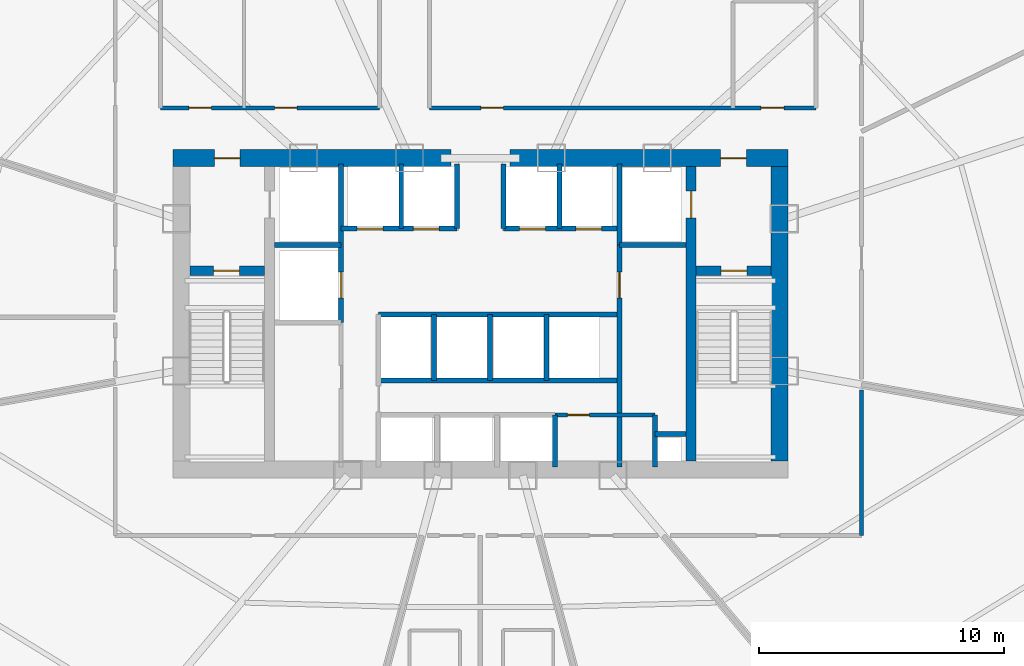
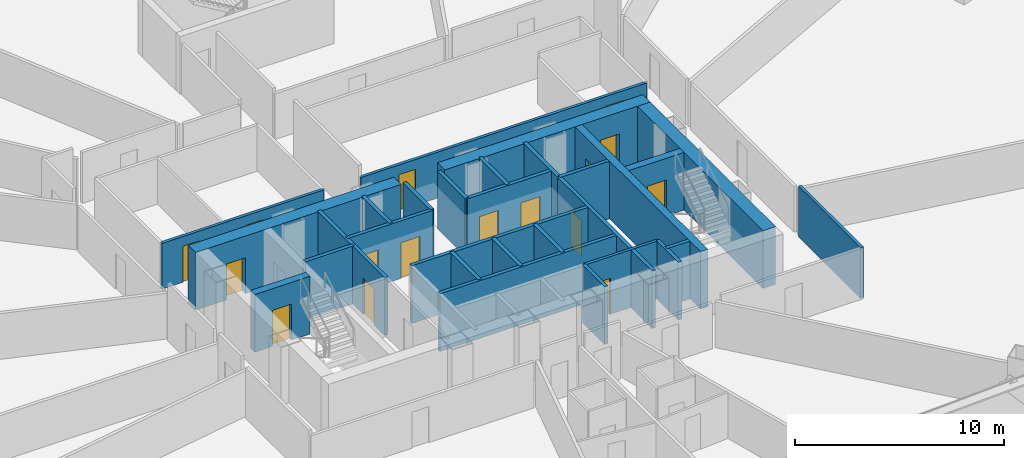
# One storey, part 31 of 38: 29 walls, 16 doors, 16 openings.
"""IFC4 building model written with IfcOpenShell, lengths in metres."""

from ifc_helpers import new_model, si_unit, direction, frame, frame_2d, origin, origin_with_axes, place, context, subcontext, project, spatial, rectangle, extrude, source, transform, mapped, material, layer, layer_set, type_object, element, fill, save


model = new_model("IFC4")

# Units and contexts
model_context = context("Model", 3, precision=1e-05, world=origin(), true_north=direction((0.0, 1.0)))
body_context = subcontext(model_context, "Body", "Model", "MODEL_VIEW")
ifc_project = project(units=[si_unit("LENGTHUNIT", "METRE"), si_unit("AREAUNIT", "SQUARE_METRE"), si_unit("VOLUMEUNIT", "CUBIC_METRE"), si_unit("PLANEANGLEUNIT", "RADIAN"), si_unit("MASSUNIT", "GRAM", prefix="KILO"), si_unit("THERMODYNAMICTEMPERATUREUNIT", "KELVIN"), si_unit("POWERUNIT", "WATT")], contexts=[model_context])

# Site, building, storey
site_placement = place(None, origin())
site = spatial("IfcSite", under=ifc_project, at=site_placement, CompositionType="ELEMENT")
building_placement = place(site_placement, origin())
building = spatial("IfcBuilding", under=site, at=building_placement, Name="Yunzhuo Pagoda Commons", CompositionType="ELEMENT")
storey_placement = place(building_placement, frame((0.0, 0.0, 34.030029296875)))
storey = spatial("IfcBuildingStorey", under=building, at=storey_placement, Name="L08", CompositionType="ELEMENT", Elevation=34.030029296875)

# Wall, opening, door
ifc_material_1 = material(Name="Concrete C60", Category="concrete")
ifc_layer_1 = layer(ifc_material_1, 0.699951171875)
ifc_layer_set_1 = layer_set([ifc_layer_1], Name="Concrete C60")
wall_type_1 = type_object("IfcWallType", Name="W-C01 Lower Core Shear Wall 700", PredefinedType="SHEAR", material=ifc_layer_set_1)
wall_1_placement = place(storey_placement, frame((35.449951171875, 40.199951171875, 0.0), z_axis=(0.0, 0.0, 1.0), x_axis=(1.0, 0.0, 0.0)))
wall_1 = element("IfcWall", 1, at=wall_1_placement, inside=storey, type_object=wall_type_1, Name="L08 core shear wall NW", PredefinedType="SHEAR", context=body_context, shape_type="SweptSolid", body=[
    extrude(rectangle(XDim=11.35009765625, YDim=0.699951171875, at=frame_2d((5.675048828125, 0.0))), origin(), (0.0, 0.0, 1.0), 3.369873046875),
])
opening_1_placement = place(wall_1_placement, frame((1.699951171875, 0.0, 0.0)))
opening_1 = element("IfcOpeningElement", 2, at=opening_1_placement, cuts=wall_1, Name="Opening D-02", PredefinedType="OPENING", context=body_context, shape_type="SweptSolid", body=[
    extrude(rectangle(XDim=1.050048828125, YDim=2.10009765625, at=frame_2d((0.52490234375, 1.050048828125))), frame((0.0, 0.35986328125, 0.0), z_axis=(0.0, -1.0, 0.0), x_axis=(1.0, 0.0, 0.0)), (0.0, 0.0, 1.0), 0.719970703125),
])
ifc_material_2 = material(Name="Galvanized fire-resisting metal leaf")
door_type_1 = type_object("IfcDoorType", Name="D-02 Firefighting Lobby & Refuge Fire Door 1050x2100", OperationType="NOTDEFINED", PredefinedType="DOOR", material=ifc_material_2)
shared_shape_1 = source(origin(), body_context, "Body", "SweptSolid", [
    extrude(rectangle(XDim=1.050048828125, YDim=2.10009765625, at=frame_2d((0.52490234375, 1.050048828125))), frame((0.0, 0.02490234375, 0.0), z_axis=(0.0, -1.0, 0.0), x_axis=(1.0, 0.0, 0.0)), (0.0, 0.0, 1.0), 0.050048828125),
])
door_1_placement = place(opening_1_placement, frame((1.050048828125, 0.0, 0.0), z_axis=(0.0, 0.0, 1.0), x_axis=(-1.0, 0.0, 0.0)))
door_1 = element("IfcDoor", 3, at=door_1_placement, inside=storey, type_object=door_type_1, Name="L08 Firefighting Lobby 1 fire door", OperationType="SINGLE_SWING_LEFT", OverallHeight=2.10009765625, OverallWidth=1.050048828125, PredefinedType="DOOR", context=body_context, shape_type="MappedRepresentation", body=[
    mapped(shared_shape_1, transform((0.0, 0.0, 0.0), scale=1.0)),
])
fill(opening_1, door_1)

wall_2_placement = place(storey_placement, frame((49.199951171875, 40.199951171875, 0.0), z_axis=(0.0, 0.0, 1.0), x_axis=(1.0, 0.0, 0.0)))
wall_2 = element("IfcWall", 4, at=wall_2_placement, inside=storey, type_object=wall_type_1, Name="L08 core shear wall NE", PredefinedType="SHEAR", context=body_context, shape_type="SweptSolid", body=[
    extrude(rectangle(XDim=11.35009765625, YDim=0.699951171875, at=frame_2d((5.675048828125, 0.0))), origin(), (0.0, 0.0, 1.0), 3.369873046875),
])
opening_2_placement = place(wall_2_placement, frame((8.60009765625, 0.0, 0.0)))
opening_2 = element("IfcOpeningElement", 5, at=opening_2_placement, cuts=wall_2, Name="Opening D-02", PredefinedType="OPENING", context=body_context, shape_type="SweptSolid", body=[
    extrude(rectangle(XDim=1.050048828125, YDim=2.10009765625, at=frame_2d((0.52490234375, 1.050048828125))), frame((0.0, 0.35986328125, 0.0), z_axis=(0.0, -1.0, 0.0), x_axis=(1.0, 0.0, 0.0)), (0.0, 0.0, 1.0), 0.719970703125),
])
door_2_placement = place(opening_2_placement, frame((1.050048828125, 0.0, 0.0), z_axis=(0.0, 0.0, 1.0), x_axis=(-1.0, 0.0, 0.0)))
door_2 = element("IfcDoor", 6, at=door_2_placement, inside=storey, type_object=door_type_1, Name="L08 Firefighting Lobby 2 fire door", OperationType="SINGLE_SWING_RIGHT", OverallHeight=2.10009765625, OverallWidth=1.050048828125, PredefinedType="DOOR", context=body_context, shape_type="MappedRepresentation", body=[
    mapped(shared_shape_1, transform((0.0, 0.0, 0.0), scale=1.0)),
])
fill(opening_2, door_2)

# Wall
wall_3_placement = place(storey_placement, frame((60.199951171875, 27.85009765625, 0.0), z_axis=(0.0, 0.0, 1.0), x_axis=(0.0, 1.0, 0.0)))
element("IfcWall", 7, at=wall_3_placement, inside=storey, type_object=wall_type_1, Name="L08 core shear wall E", PredefinedType="SHEAR", context=body_context, shape_type="SweptSolid", body=[
    extrude(rectangle(XDim=12.0, YDim=0.699951171875, at=frame_2d((6.0, 0.0))), origin(), (0.0, 0.0, 1.0), 3.369873046875),
])

# Wall, opening, door
ifc_material_3 = material(Name="Gypsum plasterboard on acoustic stud")
ifc_layer_2 = layer(ifc_material_3, 0.159912109375)
ifc_layer_set_2 = layer_set([ifc_layer_2], Name="Gypsum plasterboard on acoustic stud")
wall_type_2 = type_object("IfcWallType", Name="W-COR1 Tower Rated Corridor Wall 160", PredefinedType="PARTITIONING", material=ifc_layer_set_2)
wall_4_placement = place(storey_placement, frame((51.050048828125, 29.719970703125, 0.0), z_axis=(0.0, 0.0, 1.0), x_axis=(1.0, 0.0, 0.0)))
wall_4 = element("IfcWall", 8, at=wall_4_placement, inside=storey, type_object=wall_type_2, Name="L08 interior wall IW-L08-CSES", PredefinedType="PARTITIONING", context=body_context, shape_type="SweptSolid", body=[
    extrude(rectangle(XDim=4.070068359375, YDim=0.159912109375, at=frame_2d((2.03515625, 0.0))), origin(), (0.0, 0.0, 1.0), 3.369873046875),
])
opening_3_placement = place(wall_4_placement, frame((0.5, 0.0, 0.0)))
opening_3 = element("IfcOpeningElement", 9, at=opening_3_placement, cuts=wall_4, Name="Opening D-03", PredefinedType="OPENING", context=body_context, shape_type="SweptSolid", body=[
    extrude(rectangle(XDim=0.89990234375, YDim=2.10009765625, at=frame_2d((0.449951171875, 1.050048828125))), frame((0.0, 0.08984375, 0.0), z_axis=(0.0, -1.0, 0.0), x_axis=(1.0, 0.0, 0.0)), (0.0, 0.0, 1.0), 0.179931640625),
])
door_type_2 = type_object("IfcDoorType", Name="D-03 Core Service Fire Door 900x2100", OperationType="NOTDEFINED", PredefinedType="DOOR", material=ifc_material_2)
shared_shape_2 = source(origin(), body_context, "Body", "SweptSolid", [
    extrude(rectangle(XDim=0.89990234375, YDim=2.10009765625, at=frame_2d((0.449951171875, 1.050048828125))), frame((0.0, 0.02490234375, 0.0), z_axis=(0.0, -1.0, 0.0), x_axis=(1.0, 0.0, 0.0)), (0.0, 0.0, 1.0), 0.050048828125),
])
door_3_placement = place(opening_3_placement, origin_with_axes())
door_3 = element("IfcDoor", 10, at=door_3_placement, inside=storey, type_object=door_type_2, Name="L08 cleaner store door", OperationType="SINGLE_SWING_LEFT", OverallHeight=2.10009765625, OverallWidth=0.89990234375, PredefinedType="DOOR", context=body_context, shape_type="MappedRepresentation", body=[
    mapped(shared_shape_2, transform((0.0, 0.0, 0.0), scale=1.0)),
])
fill(opening_3, door_3)

# Wall, openings, doors
wall_5_placement = place(storey_placement, frame((34.949951171875, 42.25, 0.0), z_axis=(0.0, 0.0, 1.0), x_axis=(1.0, 0.0, 0.0)))
wall_5 = element("IfcWall", 11, at=wall_5_placement, inside=storey, type_object=wall_type_2, Name="L08 interior wall IW-L08-ISLWS", PredefinedType="PARTITIONING", context=body_context, shape_type="SweptSolid", body=[
    extrude(rectangle(XDim=8.929931640625, YDim=0.159912109375, at=frame_2d((4.46484375, 0.0))), origin(), (0.0, 0.0, 1.0), 2.669921875),
])
opening_4_placement = place(wall_5_placement, frame((1.14990234375, 0.0, 0.0)))
opening_4 = element("IfcOpeningElement", 12, at=opening_4_placement, cuts=wall_5, Name="Opening D-04", PredefinedType="OPENING", context=body_context, shape_type="SweptSolid", body=[
    extrude(rectangle(XDim=0.919921875, YDim=2.10009765625, at=frame_2d((0.4599609375, 1.050048828125))), frame((0.0, 0.08984375, 0.0), z_axis=(0.0, -1.0, 0.0), x_axis=(1.0, 0.0, 0.0)), (0.0, 0.0, 1.0), 0.179931640625),
])
opening_5_placement = place(wall_5_placement, frame((4.64990234375, 0.0, 0.0)))
opening_5 = element("IfcOpeningElement", 13, at=opening_5_placement, cuts=wall_5, Name="Opening D-04", PredefinedType="OPENING", context=body_context, shape_type="SweptSolid", body=[
    extrude(rectangle(XDim=0.919921875, YDim=2.10009765625, at=frame_2d((0.4599609375, 1.050048828125))), frame((0.0, 0.08984375, 0.0), z_axis=(0.0, -1.0, 0.0), x_axis=(1.0, 0.0, 0.0)), (0.0, 0.0, 1.0), 0.179931640625),
])
ifc_material_4 = material(Name="Powder-coated aluminium and timber acoustic leaf", Category="wood")
door_type_3 = type_object("IfcDoorType", Name="D-04 Bedroom & Study Interior Door 920x2100", OperationType="NOTDEFINED", PredefinedType="DOOR", material=ifc_material_4)
shared_shape_3 = source(origin(), body_context, "Body", "SweptSolid", [
    extrude(rectangle(XDim=0.919921875, YDim=2.10009765625, at=frame_2d((0.4599609375, 1.050048828125))), frame((0.0, 0.02490234375, 0.0), z_axis=(0.0, -1.0, 0.0), x_axis=(1.0, 0.0, 0.0)), (0.0, 0.0, 1.0), 0.050048828125),
])
door_4_placement = place(opening_4_placement, frame((0.919921875, 0.0, 0.0), z_axis=(0.0, 0.0, 1.0), x_axis=(-1.0, 0.0, 0.0)))
door_4 = element("IfcDoor", 14, at=door_4_placement, inside=storey, type_object=door_type_3, Name="L08 laundry door", OperationType="SINGLE_SWING_LEFT", OverallHeight=2.10009765625, OverallWidth=0.919921875, PredefinedType="DOOR", context=body_context, shape_type="MappedRepresentation", body=[
    mapped(shared_shape_3, transform((0.0, 0.0, 0.0), scale=1.0)),
])
fill(opening_4, door_4)
door_5_placement = place(opening_5_placement, frame((0.919921875, 0.0, 0.0), z_axis=(0.0, 0.0, 1.0), x_axis=(-1.0, 0.0, 0.0)))
door_5 = element("IfcDoor", 15, at=door_5_placement, inside=storey, type_object=door_type_3, Name="L08 study commons W door", OperationType="SINGLE_SWING_RIGHT", OverallHeight=2.10009765625, OverallWidth=0.919921875, PredefinedType="DOOR", context=body_context, shape_type="MappedRepresentation", body=[
    mapped(shared_shape_3, transform((0.0, 0.0, 0.0), scale=1.0)),
])
fill(opening_5, door_5)

wall_6_placement = place(storey_placement, frame((45.919921875, 42.25, 0.0), z_axis=(0.0, 0.0, 1.0), x_axis=(1.0, 0.0, 0.0)))
wall_6 = element("IfcWall", 16, at=wall_6_placement, inside=storey, type_object=wall_type_2, Name="L08 interior wall IW-L08-ISLES", PredefinedType="PARTITIONING", context=body_context, shape_type="SweptSolid", body=[
    extrude(rectangle(XDim=15.780029296875, YDim=0.159912109375, at=frame_2d((7.89013671875, 0.0))), origin(), (0.0, 0.0, 1.0), 2.669921875),
])
opening_6_placement = place(wall_6_placement, frame((2.10009765625, 0.0, 0.0)))
opening_6 = element("IfcOpeningElement", 17, at=opening_6_placement, cuts=wall_6, Name="Opening D-04", PredefinedType="OPENING", context=body_context, shape_type="SweptSolid", body=[
    extrude(rectangle(XDim=0.919921875, YDim=2.10009765625, at=frame_2d((0.4599609375, 1.050048828125))), frame((0.0, 0.08984375, 0.0), z_axis=(0.0, -1.0, 0.0), x_axis=(1.0, 0.0, 0.0)), (0.0, 0.0, 1.0), 0.179931640625),
])
opening_7_placement = place(wall_6_placement, frame((13.530029296875, 0.0, 0.0)))
opening_7 = element("IfcOpeningElement", 18, at=opening_7_placement, cuts=wall_6, Name="Opening D-11", PredefinedType="OPENING", context=body_context, shape_type="SweptSolid", body=[
    extrude(rectangle(XDim=0.93994140625, YDim=2.10009765625, at=frame_2d((0.469970703125, 1.050048828125))), frame((0.0, 0.08984375, 0.0), z_axis=(0.0, -1.0, 0.0), x_axis=(1.0, 0.0, 0.0)), (0.0, 0.0, 1.0), 0.179931640625),
])
door_type_4 = type_object("IfcDoorType", Name="D-11 Accessible Washroom Fire Door 940x2100", OperationType="NOTDEFINED", PredefinedType="DOOR", material=ifc_material_2)
shared_shape_4 = source(origin(), body_context, "Body", "SweptSolid", [
    extrude(rectangle(XDim=0.93994140625, YDim=2.10009765625, at=frame_2d((0.469970703125, 1.050048828125))), frame((0.0, 0.02490234375, 0.0), z_axis=(0.0, -1.0, 0.0), x_axis=(1.0, 0.0, 0.0)), (0.0, 0.0, 1.0), 0.050048828125),
])
door_6_placement = place(opening_7_placement, frame((0.93994140625, 0.0, 0.0), z_axis=(0.0, 0.0, 1.0), x_axis=(-1.0, 0.0, 0.0)))
door_6 = element("IfcDoor", 19, at=door_6_placement, inside=storey, type_object=door_type_4, Name="L08 accessible WC door", OperationType="SINGLE_SWING_RIGHT", OverallHeight=2.10009765625, OverallWidth=0.93994140625, PredefinedType="DOOR", context=body_context, shape_type="MappedRepresentation", body=[
    mapped(shared_shape_4, transform((0.0, 0.0, 0.0), scale=1.0)),
])
fill(opening_7, door_6)
door_7_placement = place(opening_6_placement, frame((0.919921875, 0.0, 0.0), z_axis=(0.0, 0.0, 1.0), x_axis=(-1.0, 0.0, 0.0)))
door_7 = element("IfcDoor", 20, at=door_7_placement, inside=storey, type_object=door_type_3, Name="L08 reading commons door", OperationType="SINGLE_SWING_LEFT", OverallHeight=2.10009765625, OverallWidth=0.919921875, PredefinedType="DOOR", context=body_context, shape_type="MappedRepresentation", body=[
    mapped(shared_shape_3, transform((0.0, 0.0, 0.0), scale=1.0)),
])
fill(opening_6, door_7)

# Wall
wall_7_placement = place(storey_placement, frame((63.550048828125, 30.734619140625, 0.0), z_axis=(0.0, 0.0, 1.0), x_axis=(0.0, -1.0, 0.0)))
element("IfcWall", 21, at=wall_7_placement, inside=storey, type_object=wall_type_2, Name="L08 interior wall IW-L08-CWL16", PredefinedType="PARTITIONING", context=body_context, shape_type="SweptSolid", body=[
    extrude(rectangle(XDim=5.9345703125, YDim=0.159912109375, at=frame_2d((2.96728515625, 0.0))), origin(), (0.0, 0.0, 1.0), 2.969970703125),
])

# Wall, opening, door
ifc_layer_3 = layer(ifc_material_1, 0.39990234375)
ifc_layer_set_3 = layer_set([ifc_layer_3], Name="Concrete C60")
wall_type_3 = type_object("IfcWallType", Name="W-S01 Internal Core Shear Web 400", PredefinedType="SHEAR", material=ifc_layer_set_3)
wall_8_placement = place(storey_placement, frame((56.60009765625, 27.85009765625, 0.0), z_axis=(0.0, 0.0, 1.0), x_axis=(0.0, 1.0, 0.0)))
wall_8 = element("IfcWall", 22, at=wall_8_placement, inside=storey, type_object=wall_type_3, Name="L08 core shear wall WEBE", PredefinedType="SHEAR", context=body_context, shape_type="SweptSolid", body=[
    extrude(rectangle(XDim=12.0, YDim=0.39990234375, at=frame_2d((6.0, 0.0))), origin(), (0.0, 0.0, 1.0), 3.369873046875),
])
opening_8_placement = place(wall_8_placement, frame((9.89990234375, 0.0, 0.0)))
opening_8 = element("IfcOpeningElement", 23, at=opening_8_placement, cuts=wall_8, Name="Opening LD-01", PredefinedType="OPENING", context=body_context, shape_type="SweptSolid", body=[
    extrude(rectangle(XDim=1.10009765625, YDim=2.10009765625, at=frame_2d((0.550048828125, 1.050048828125))), frame((0.0, 0.2099609375, 0.0), z_axis=(0.0, -1.0, 0.0), x_axis=(1.0, 0.0, 0.0)), (0.0, 0.0, 1.0), 0.419921875),
])
door_type_5 = type_object("IfcDoorType", Name="LD-01 Firefighting Lift Landing Door 1100x2100", OperationType="DOUBLE_DOOR_SLIDING", PredefinedType="DOOR", material=ifc_material_2)
shared_shape_5 = source(origin(), body_context, "Body", "SweptSolid", [
    extrude(rectangle(XDim=1.10009765625, YDim=2.10009765625, at=frame_2d((0.550048828125, 1.050048828125))), frame((0.0, 0.02490234375, 0.0), z_axis=(0.0, -1.0, 0.0), x_axis=(1.0, 0.0, 0.0)), (0.0, 0.0, 1.0), 0.050048828125),
])
door_8_placement = place(opening_8_placement, origin_with_axes())
door_8 = element("IfcDoor", 24, at=door_8_placement, inside=storey, type_object=door_type_5, Name="L08 Firefighting lift FL-2 landing door", OperationType="DOUBLE_DOOR_SLIDING", OverallHeight=2.10009765625, OverallWidth=1.10009765625, PredefinedType="DOOR", context=body_context, shape_type="MappedRepresentation", body=[
    mapped(shared_shape_5, transform((0.0, 0.0, 0.0), scale=1.0)),
])
fill(opening_8, door_8)

wall_9_placement = place(storey_placement, frame((36.14990234375, 35.60009765625, 0.0), z_axis=(0.0, 0.0, 1.0), x_axis=(1.0, 0.0, 0.0)))
wall_9 = element("IfcWall", 25, at=wall_9_placement, inside=storey, type_object=wall_type_3, Name="L08 core shear wall STW", PredefinedType="SHEAR", context=body_context, shape_type="SweptSolid", body=[
    extrude(rectangle(XDim=3.050048828125, YDim=0.39990234375, at=frame_2d((1.52490234375, 0.0))), origin(), (0.0, 0.0, 1.0), 3.369873046875),
])
opening_9_placement = place(wall_9_placement, frame((0.969970703125, 0.0, 0.0)))
opening_9 = element("IfcOpeningElement", 26, at=opening_9_placement, cuts=wall_9, Name="Opening D-01", PredefinedType="OPENING", context=body_context, shape_type="SweptSolid", body=[
    extrude(rectangle(XDim=1.050048828125, YDim=2.10009765625, at=frame_2d((0.52490234375, 1.050048828125))), frame((0.0, 0.2099609375, 0.0), z_axis=(0.0, -1.0, 0.0), x_axis=(1.0, 0.0, 0.0)), (0.0, 0.0, 1.0), 0.419921875),
])
door_type_6 = type_object("IfcDoorType", Name="D-01 Smokeproof Stair Fire Door 1050x2100", OperationType="NOTDEFINED", PredefinedType="DOOR", material=ifc_material_2)
door_9_placement = place(opening_9_placement, frame((1.050048828125, 0.0, 0.0), z_axis=(0.0, 0.0, 1.0), x_axis=(-1.0, 0.0, 0.0)))
door_9 = element("IfcDoor", 27, at=door_9_placement, inside=storey, type_object=door_type_6, Name="L08 Stair ST1 fire door", OperationType="SINGLE_SWING_LEFT", OverallHeight=2.10009765625, OverallWidth=1.050048828125, PredefinedType="DOOR", context=body_context, shape_type="MappedRepresentation", body=[
    mapped(shared_shape_1, transform((0.0, 0.0, 0.0), scale=1.0)),
])
fill(opening_9, door_9)

wall_10_placement = place(storey_placement, frame((56.800048828125, 35.60009765625, 0.0), z_axis=(0.0, 0.0, 1.0), x_axis=(1.0, 0.0, 0.0)))
wall_10 = element("IfcWall", 28, at=wall_10_placement, inside=storey, type_object=wall_type_3, Name="L08 core shear wall STE", PredefinedType="SHEAR", context=body_context, shape_type="SweptSolid", body=[
    extrude(rectangle(XDim=3.050048828125, YDim=0.39990234375, at=frame_2d((1.52490234375, 0.0))), origin(), (0.0, 0.0, 1.0), 3.369873046875),
])
opening_10_placement = place(wall_10_placement, frame((1.02001953125, 0.0, 0.0)))
opening_10 = element("IfcOpeningElement", 29, at=opening_10_placement, cuts=wall_10, Name="Opening D-01", PredefinedType="OPENING", context=body_context, shape_type="SweptSolid", body=[
    extrude(rectangle(XDim=1.050048828125, YDim=2.10009765625, at=frame_2d((0.52490234375, 1.050048828125))), frame((0.0, 0.2099609375, 0.0), z_axis=(0.0, -1.0, 0.0), x_axis=(1.0, 0.0, 0.0)), (0.0, 0.0, 1.0), 0.419921875),
])
door_10_placement = place(opening_10_placement, frame((1.050048828125, 0.0, 0.0), z_axis=(0.0, 0.0, 1.0), x_axis=(-1.0, 0.0, 0.0)))
door_10 = element("IfcDoor", 30, at=door_10_placement, inside=storey, type_object=door_type_6, Name="L08 Stair ST2 fire door", OperationType="SINGLE_SWING_RIGHT", OverallHeight=2.10009765625, OverallWidth=1.050048828125, PredefinedType="DOOR", context=body_context, shape_type="MappedRepresentation", body=[
    mapped(shared_shape_1, transform((0.0, 0.0, 0.0), scale=1.0)),
])
fill(opening_10, door_10)

ifc_material_5 = material(Name="Concrete C40", Category="concrete")
ifc_layer_4 = layer(ifc_material_5, 0.199951171875)
ifc_layer_set_4 = layer_set([ifc_layer_4], Name="Concrete C40")
wall_type_4 = type_object("IfcWallType", Name="W-SHF Shaft & Stair Enclosure Wall 200", PredefinedType="SOLIDWALL", material=ifc_layer_set_4)
wall_11_placement = place(storey_placement, frame((42.320068359375, 33.5, 0.0), z_axis=(0.0, 0.0, 1.0), x_axis=(0.0, 1.0, 0.0)))
wall_11 = element("IfcWall", 31, at=wall_11_placement, inside=storey, type_object=wall_type_4, Name="L08 interior wall IW-L08-FL1E", PredefinedType="SOLIDWALL", context=body_context, shape_type="SweptSolid", body=[
    extrude(rectangle(XDim=6.449951171875, YDim=0.199951171875, at=frame_2d((3.22509765625, 0.0))), origin(), (0.0, 0.0, 1.0), 3.369873046875),
])
opening_11_placement = place(wall_11_placement, frame((1.0, 0.0, 0.0)))
opening_11 = element("IfcOpeningElement", 32, at=opening_11_placement, cuts=wall_11, Name="Opening LD-02", PredefinedType="OPENING", context=body_context, shape_type="SweptSolid", body=[
    extrude(rectangle(XDim=1.050048828125, YDim=2.10009765625, at=frame_2d((0.52490234375, 1.050048828125))), frame((0.0, 0.10986328125, 0.0), z_axis=(0.0, -1.0, 0.0), x_axis=(1.0, 0.0, 0.0)), (0.0, 0.0, 1.0), 0.219970703125),
])
door_type_7 = type_object("IfcDoorType", Name="LD-02 Passenger Lift Landing Door 1050x2100", OperationType="DOUBLE_DOOR_SLIDING", PredefinedType="DOOR", material=ifc_material_2)
door_11_placement = place(opening_11_placement, origin_with_axes())
door_11 = element("IfcDoor", 33, at=door_11_placement, inside=storey, type_object=door_type_7, Name="L08 Service lift SL-1 landing door", OperationType="DOUBLE_DOOR_SLIDING", OverallHeight=2.10009765625, OverallWidth=1.050048828125, PredefinedType="DOOR", context=body_context, shape_type="MappedRepresentation", body=[
    mapped(shared_shape_1, transform((0.0, 0.0, 0.0), scale=1.0)),
])
fill(opening_11, door_11)

# Walls
wall_12_placement = place(storey_placement, frame((39.60009765625, 36.64990234375, 0.0), z_axis=(0.0, 0.0, 1.0), x_axis=(1.0, 0.0, 0.0)))
element("IfcWall", 34, at=wall_12_placement, inside=storey, type_object=wall_type_4, Name="L08 interior wall IW-L08-FL1S", PredefinedType="SOLIDWALL", context=body_context, shape_type="SweptSolid", body=[
    extrude(rectangle(XDim=2.719970703125, YDim=0.199951171875, at=frame_2d((1.35986328125, 0.0))), origin(), (0.0, 0.0, 1.0), 3.369873046875),
])
wall_13_placement = place(storey_placement, frame((53.679931640625, 36.64990234375, 0.0), z_axis=(0.0, 0.0, 1.0), x_axis=(0.0, 1.0, 0.0)))
element("IfcWall", 35, at=wall_13_placement, inside=storey, type_object=wall_type_4, Name="L08 interior wall IW-L08-FL2W", PredefinedType="SOLIDWALL", context=body_context, shape_type="SweptSolid", body=[
    extrude(rectangle(XDim=3.300048828125, YDim=0.199951171875, at=frame_2d((1.64990234375, 0.0))), origin(), (0.0, 0.0, 1.0), 3.369873046875),
])
wall_14_placement = place(storey_placement, frame((53.679931640625, 36.64990234375, 0.0), z_axis=(0.0, 0.0, 1.0), x_axis=(1.0, 0.0, 0.0)))
element("IfcWall", 36, at=wall_14_placement, inside=storey, type_object=wall_type_4, Name="L08 interior wall IW-L08-FL2S", PredefinedType="SOLIDWALL", context=body_context, shape_type="SweptSolid", body=[
    extrude(rectangle(XDim=2.719970703125, YDim=0.199951171875, at=frame_2d((1.35986328125, 0.0))), origin(), (0.0, 0.0, 1.0), 3.369873046875),
])

# Wall, openings, doors
wall_15_placement = place(storey_placement, frame((42.320068359375, 37.320068359375, 0.0), z_axis=(0.0, 0.0, 1.0), x_axis=(1.0, 0.0, 0.0)))
wall_15 = element("IfcWall", 37, at=wall_15_placement, inside=storey, type_object=wall_type_4, Name="L08 interior wall IW-L08-LBNW", PredefinedType="SOLIDWALL", context=body_context, shape_type="SweptSolid", body=[
    extrude(rectangle(XDim=4.72998046875, YDim=0.199951171875, at=frame_2d((2.364990234375, 0.0))), origin(), (0.0, 0.0, 1.0), 3.369873046875),
])
opening_12_placement = place(wall_15_placement, frame((0.64990234375, 0.0, 0.0)))
opening_12 = element("IfcOpeningElement", 38, at=opening_12_placement, cuts=wall_15, Name="Opening LD-02", PredefinedType="OPENING", context=body_context, shape_type="SweptSolid", body=[
    extrude(rectangle(XDim=1.050048828125, YDim=2.10009765625, at=frame_2d((0.52490234375, 1.050048828125))), frame((0.0, 0.10986328125, 0.0), z_axis=(0.0, -1.0, 0.0), x_axis=(1.0, 0.0, 0.0)), (0.0, 0.0, 1.0), 0.219970703125),
])
opening_13_placement = place(wall_15_placement, frame((2.949951171875, 0.0, 0.0)))
opening_13 = element("IfcOpeningElement", 39, at=opening_13_placement, cuts=wall_15, Name="Opening LD-02", PredefinedType="OPENING", context=body_context, shape_type="SweptSolid", body=[
    extrude(rectangle(XDim=1.050048828125, YDim=2.10009765625, at=frame_2d((0.52490234375, 1.050048828125))), frame((0.0, 0.10986328125, 0.0), z_axis=(0.0, -1.0, 0.0), x_axis=(1.0, 0.0, 0.0)), (0.0, 0.0, 1.0), 0.219970703125),
])
door_12_placement = place(opening_12_placement, frame((1.050048828125, 0.0, 0.0), z_axis=(0.0, 0.0, 1.0), x_axis=(-1.0, 0.0, 0.0)))
door_12 = element("IfcDoor", 40, at=door_12_placement, inside=storey, type_object=door_type_7, Name="L08 Passenger lift PL-L1 landing door", OperationType="DOUBLE_DOOR_SLIDING", OverallHeight=2.10009765625, OverallWidth=1.050048828125, PredefinedType="DOOR", context=body_context, shape_type="MappedRepresentation", body=[
    mapped(shared_shape_1, transform((0.0, 0.0, 0.0), scale=1.0)),
])
fill(opening_12, door_12)
door_13_placement = place(opening_13_placement, frame((1.050048828125, 0.0, 0.0), z_axis=(0.0, 0.0, 1.0), x_axis=(-1.0, 0.0, 0.0)))
door_13 = element("IfcDoor", 41, at=door_13_placement, inside=storey, type_object=door_type_7, Name="L08 Passenger lift PL-L2 landing door", OperationType="DOUBLE_DOOR_SLIDING", OverallHeight=2.10009765625, OverallWidth=1.050048828125, PredefinedType="DOOR", context=body_context, shape_type="MappedRepresentation", body=[
    mapped(shared_shape_1, transform((0.0, 0.0, 0.0), scale=1.0)),
])
fill(opening_13, door_13)

wall_16_placement = place(storey_placement, frame((48.949951171875, 37.320068359375, 0.0), z_axis=(0.0, 0.0, 1.0), x_axis=(1.0, 0.0, 0.0)))
wall_16 = element("IfcWall", 42, at=wall_16_placement, inside=storey, type_object=wall_type_4, Name="L08 interior wall IW-L08-LBNE", PredefinedType="SOLIDWALL", context=body_context, shape_type="SweptSolid", body=[
    extrude(rectangle(XDim=4.72998046875, YDim=0.199951171875, at=frame_2d((2.364990234375, 0.0))), origin(), (0.0, 0.0, 1.0), 3.369873046875),
])
opening_14_placement = place(wall_16_placement, frame((0.64990234375, 0.0, 0.0)))
opening_14 = element("IfcOpeningElement", 43, at=opening_14_placement, cuts=wall_16, Name="Opening LD-02", PredefinedType="OPENING", context=body_context, shape_type="SweptSolid", body=[
    extrude(rectangle(XDim=1.050048828125, YDim=2.10009765625, at=frame_2d((0.52490234375, 1.050048828125))), frame((0.0, 0.10986328125, 0.0), z_axis=(0.0, -1.0, 0.0), x_axis=(1.0, 0.0, 0.0)), (0.0, 0.0, 1.0), 0.219970703125),
])
opening_15_placement = place(wall_16_placement, frame((2.949951171875, 0.0, 0.0)))
opening_15 = element("IfcOpeningElement", 44, at=opening_15_placement, cuts=wall_16, Name="Opening LD-02", PredefinedType="OPENING", context=body_context, shape_type="SweptSolid", body=[
    extrude(rectangle(XDim=1.050048828125, YDim=2.10009765625, at=frame_2d((0.52490234375, 1.050048828125))), frame((0.0, 0.10986328125, 0.0), z_axis=(0.0, -1.0, 0.0), x_axis=(1.0, 0.0, 0.0)), (0.0, 0.0, 1.0), 0.219970703125),
])
door_14_placement = place(opening_14_placement, frame((1.050048828125, 0.0, 0.0), z_axis=(0.0, 0.0, 1.0), x_axis=(-1.0, 0.0, 0.0)))
door_14 = element("IfcDoor", 45, at=door_14_placement, inside=storey, type_object=door_type_7, Name="L08 Passenger lift PL-L3 landing door", OperationType="DOUBLE_DOOR_SLIDING", OverallHeight=2.10009765625, OverallWidth=1.050048828125, PredefinedType="DOOR", context=body_context, shape_type="MappedRepresentation", body=[
    mapped(shared_shape_1, transform((0.0, 0.0, 0.0), scale=1.0)),
])
fill(opening_14, door_14)
door_15_placement = place(opening_15_placement, frame((1.050048828125, 0.0, 0.0), z_axis=(0.0, 0.0, 1.0), x_axis=(-1.0, 0.0, 0.0)))
door_15 = element("IfcDoor", 46, at=door_15_placement, inside=storey, type_object=door_type_7, Name="L08 Passenger lift PL-L4 landing door", OperationType="DOUBLE_DOOR_SLIDING", OverallHeight=2.10009765625, OverallWidth=1.050048828125, PredefinedType="DOOR", context=body_context, shape_type="MappedRepresentation", body=[
    mapped(shared_shape_1, transform((0.0, 0.0, 0.0), scale=1.0)),
])
fill(opening_15, door_15)

# Walls
for number, where, z_axis, x_axis, name in (
    (47, (47.050048828125, 37.320068359375, 0.0), (0.0, 0.0, 1.0), (0.0, 1.0, 0.0), "L08 interior wall IW-L08-THRW"),
    (48, (48.949951171875, 37.320068359375, 0.0), (0.0, 0.0, 1.0), (0.0, 1.0, 0.0), "L08 interior wall IW-L08-THRE"),
    (49, (44.77001953125, 37.320068359375, 0.0), (0.0, 0.0, 1.0), (0.0, 1.0, 0.0), "L08 interior wall IW-L08-PLL12"),
    (50, (51.22998046875, 37.320068359375, 0.0), (0.0, 0.0, 1.0), (0.0, 1.0, 0.0), "L08 interior wall IW-L08-PLL34"),
):
    element("IfcWall", number, at=place(storey_placement, frame(where, z_axis=z_axis, x_axis=x_axis)), inside=storey, type_object=wall_type_4, Name=name, PredefinedType="SOLIDWALL", context=body_context, shape_type="SweptSolid", body=[
        extrude(rectangle(XDim=2.6298828125, YDim=0.199951171875, at=frame_2d((1.31494140625, 0.0))), origin(), (0.0, 0.0, 1.0), 3.369873046875),
    ])
wall_17_placement = place(storey_placement, frame((43.85009765625, 33.820068359375, 0.0), z_axis=(0.0, 0.0, 1.0), x_axis=(1.0, 0.0, 0.0)))
element("IfcWall", 51, at=wall_17_placement, inside=storey, type_object=wall_type_4, Name="L08 interior wall IW-L08-MLBS", PredefinedType="SOLIDWALL", context=body_context, shape_type="SweptSolid", body=[
    extrude(rectangle(XDim=9.829833984375, YDim=0.199951171875, at=frame_2d((4.9150390625, 0.0))), origin(), (0.0, 0.0, 1.0), 3.369873046875),
])

# Wall, opening, door
wall_18_placement = place(storey_placement, frame((53.679931640625, 27.60009765625, 0.0), z_axis=(0.0, 0.0, 1.0), x_axis=(0.0, 1.0, 0.0)))
wall_18 = element("IfcWall", 52, at=wall_18_placement, inside=storey, type_object=wall_type_4, Name="L08 interior wall IW-L08-PLME", PredefinedType="SOLIDWALL", context=body_context, shape_type="SweptSolid", body=[
    extrude(rectangle(XDim=9.0498046875, YDim=0.199951171875, at=frame_2d((4.52490234375, 0.0))), origin(), (0.0, 0.0, 1.0), 3.369873046875),
])
opening_16_placement = place(wall_18_placement, frame((6.89990234375, 0.0, 0.0)))
opening_16 = element("IfcOpeningElement", 53, at=opening_16_placement, cuts=wall_18, Name="Opening D-02", PredefinedType="OPENING", context=body_context, shape_type="SweptSolid", body=[
    extrude(rectangle(XDim=1.050048828125, YDim=2.10009765625, at=frame_2d((0.52490234375, 1.050048828125))), frame((0.0, 0.10986328125, 0.0), z_axis=(0.0, -1.0, 0.0), x_axis=(1.0, 0.0, 0.0)), (0.0, 0.0, 1.0), 0.219970703125),
])
door_16_placement = place(opening_16_placement, origin_with_axes())
door_16 = element("IfcDoor", 54, at=door_16_placement, inside=storey, type_object=door_type_1, Name="L08 High-bank lift hall door", OperationType="SINGLE_SWING_RIGHT", OverallHeight=2.10009765625, OverallWidth=1.050048828125, PredefinedType="DOOR", context=body_context, shape_type="MappedRepresentation", body=[
    mapped(shared_shape_1, transform((0.0, 0.0, 0.0), scale=1.0)),
])
fill(opening_16, door_16)

# Walls
for number, where, z_axis, x_axis, name in (
    (55, (46.10009765625, 31.1201171875, 0.0), (0.0, 0.0, 1.0), (0.0, 1.0, 0.0), "L08 interior wall IW-L08-PLMD1"),
    (56, (48.39990234375, 31.1201171875, 0.0), (0.0, 0.0, 1.0), (0.0, 1.0, 0.0), "L08 interior wall IW-L08-PLMD2"),
    (57, (50.699951171875, 31.1201171875, 0.0), (0.0, 0.0, 1.0), (0.0, 1.0, 0.0), "L08 interior wall IW-L08-PLMD3"),
):
    element("IfcWall", number, at=place(storey_placement, frame(where, z_axis=z_axis, x_axis=x_axis)), inside=storey, type_object=wall_type_4, Name=name, PredefinedType="SOLIDWALL", context=body_context, shape_type="SweptSolid", body=[
        extrude(rectangle(XDim=2.699951171875, YDim=0.199951171875, at=frame_2d((1.35009765625, 0.0))), origin(), (0.0, 0.0, 1.0), 3.369873046875),
    ])
wall_19_placement = place(storey_placement, frame((51.050048828125, 27.60009765625, 0.0), z_axis=(0.0, 0.0, 1.0), x_axis=(0.0, 1.0, 0.0)))
element("IfcWall", 58, at=wall_19_placement, inside=storey, type_object=wall_type_4, Name="L08 interior wall IW-L08-PLHE", PredefinedType="SOLIDWALL", context=body_context, shape_type="SweptSolid", body=[
    extrude(rectangle(XDim=2.119873046875, YDim=0.199951171875, at=frame_2d((1.06005859375, 0.0))), origin(), (0.0, 0.0, 1.0), 3.369873046875),
])
wall_20_placement = place(storey_placement, frame((43.85009765625, 31.1201171875, 0.0), z_axis=(0.0, 0.0, 1.0), x_axis=(1.0, 0.0, 0.0)))
element("IfcWall", 59, at=wall_20_placement, inside=storey, type_object=wall_type_4, Name="L08 interior wall IW-L08-PLMS2", PredefinedType="SOLIDWALL", context=body_context, shape_type="SweptSolid", body=[
    extrude(rectangle(XDim=9.829833984375, YDim=0.199951171875, at=frame_2d((4.9150390625, 0.0))), origin(), (0.0, 0.0, 1.0), 3.369873046875),
])
wall_21_placement = place(storey_placement, frame((55.1201171875, 27.60009765625, 0.0), z_axis=(0.0, 0.0, 1.0), x_axis=(0.0, 1.0, 0.0)))
element("IfcWall", 60, at=wall_21_placement, inside=storey, type_object=wall_type_4, Name="L08 interior wall IW-L08-RSHFW", PredefinedType="SOLIDWALL", context=body_context, shape_type="SweptSolid", body=[
    extrude(rectangle(XDim=2.119873046875, YDim=0.199951171875, at=frame_2d((1.06005859375, 0.0))), origin(), (0.0, 0.0, 1.0), 3.369873046875),
])
wall_22_placement = place(storey_placement, frame((55.1201171875, 28.949951171875, 0.0), z_axis=(0.0, 0.0, 1.0), x_axis=(1.0, 0.0, 0.0)))
element("IfcWall", 61, at=wall_22_placement, inside=storey, type_object=wall_type_4, Name="L08 interior wall IW-L08-RSHFN", PredefinedType="SOLIDWALL", context=body_context, shape_type="SweptSolid", body=[
    extrude(rectangle(XDim=1.27978515625, YDim=0.199951171875, at=frame_2d((0.639892578125, 0.0))), origin(), (0.0, 0.0, 1.0), 3.369873046875),
])

save(model, "model.ifc")
